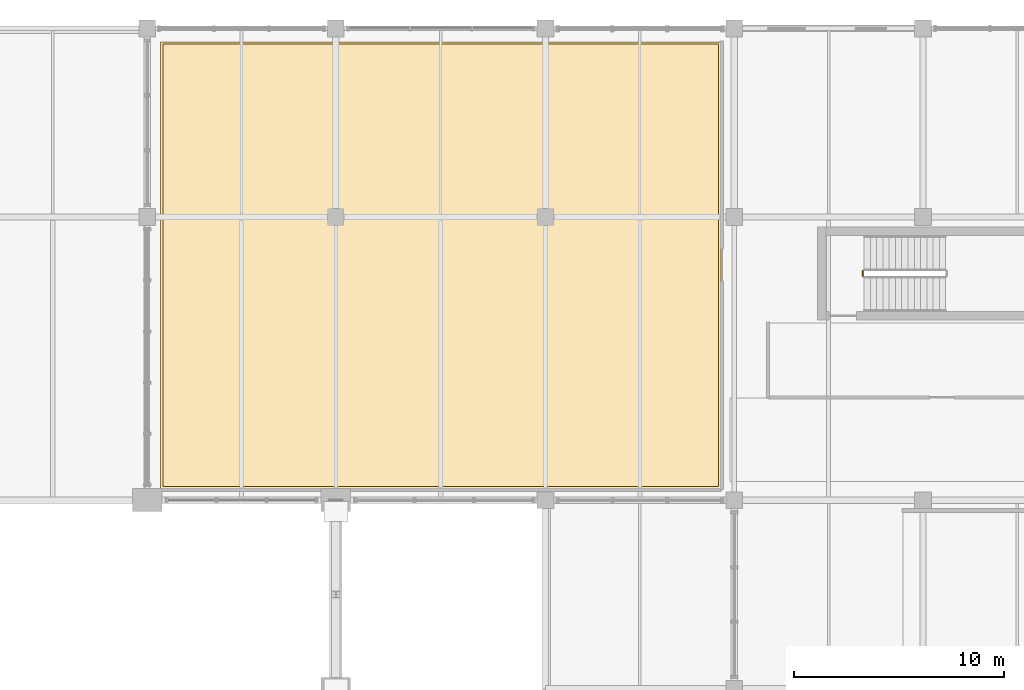
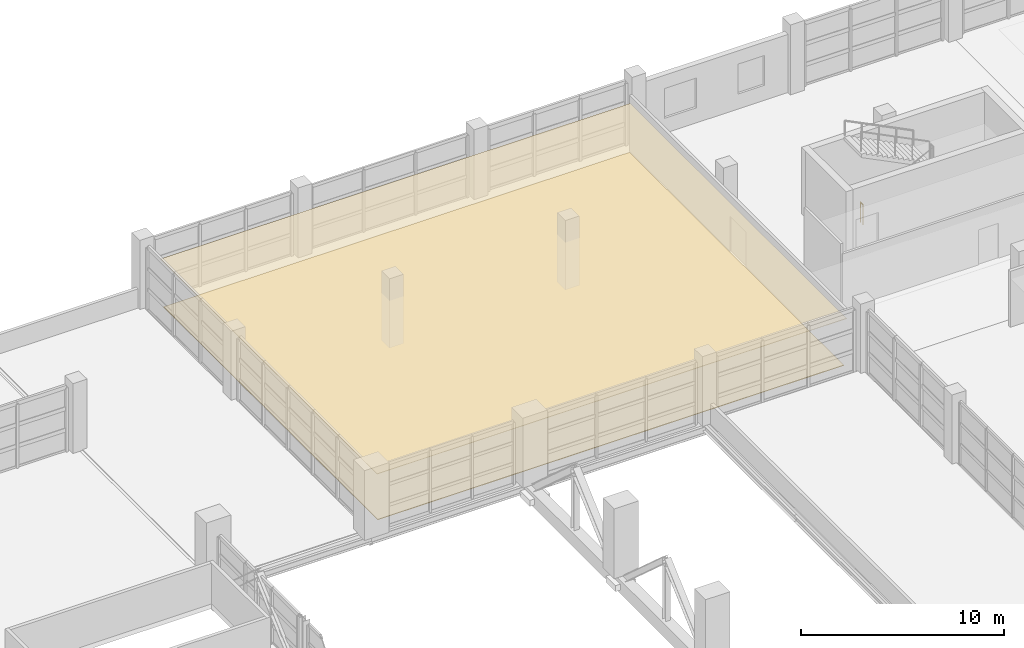
# One storey, part 134 of 136: 2 coverings, 1 railing.
"""IFC4 building model written with IfcOpenShell, lengths in metres."""

from ifc_helpers import new_model, si_unit, direction, frame, origin, origin_2d, place, context, subcontext, project, spatial, polyline, circle, outline, extrude, material, layer, layer_set, type_object, element, save


model = new_model("IFC4")

# Units and contexts
model_context = context("Model", 3, precision=1e-05, world=origin(), true_north=direction((0.0, 1.0)))
body_context = subcontext(model_context, "Body", "Model", "MODEL_VIEW")
ifc_project = project(units=[si_unit("LENGTHUNIT", "METRE"), si_unit("AREAUNIT", "SQUARE_METRE"), si_unit("VOLUMEUNIT", "CUBIC_METRE"), si_unit("PLANEANGLEUNIT", "RADIAN"), si_unit("MASSUNIT", "GRAM", prefix="KILO")], contexts=[model_context])

# Site, building, storey
site_placement = place(None, origin())
site = spatial("IfcSite", under=ifc_project, at=site_placement, CompositionType="ELEMENT")
building_placement = place(site_placement, origin())
building = spatial("IfcBuilding", under=site, at=building_placement, Name="Chuanluo Vaults Station", CompositionType="ELEMENT")
storey_placement = place(building_placement, frame((0.0, 0.0, 6.60009765625)))
storey = spatial("IfcBuildingStorey", under=building, at=storey_placement, Name="L01", CompositionType="ELEMENT", Elevation=6.60009765625)

# Coverings
ifc_material_1 = material(Name="Acoustic mineral-fibre tile")
ifc_layer_1 = layer(ifc_material_1, 0.02490234375)
ifc_layer_set_1 = layer_set([ifc_layer_1], Name="Acoustic mineral-fibre tile")
covering_type_1 = type_object("IfcCoveringType", Name="COV-CEIL-TILE", PredefinedType="CEILING", material=ifc_layer_set_1)
covering_1_placement = place(storey_placement, frame((0.0, 0.0, 2.849853515625)))
element("IfcCovering", 1, at=covering_1_placement, inside=storey, type_object=covering_type_1, Name="L01-05 suspended acoustic ceiling", PredefinedType="CEILING", context=body_context, shape_type="SweptSolid", body=[
    extrude(outline(polyline([(117.639892578125, 104.0400390625), (144.360107421875, 104.0400390625), (144.360107421875, 125.360107421875), (117.639892578125, 125.360107421875), (117.639892578125, 104.0400390625)])), origin(), (0.0, 0.0, 1.0), 0.025146484375),
])
ifc_material_2 = material(Name="Granite stone flooring", Category="masonry")
ifc_layer_2 = layer(ifc_material_2, 0.034912109375)
ifc_layer_set_2 = layer_set([ifc_layer_2], Name="Granite stone flooring")
covering_type_2 = type_object("IfcCoveringType", Name="COV-FLOR-GRAN", PredefinedType="FLOORING", material=ifc_layer_set_2)
covering_2_placement = place(storey_placement, origin())
element("IfcCovering", 2, at=covering_2_placement, inside=storey, type_object=covering_type_2, Name="L01-05 granite floor finish", PredefinedType="FLOORING", context=body_context, shape_type="SweptSolid", body=[
    extrude(outline(polyline([(117.75, 104.14990234375), (144.25, 104.14990234375), (144.25, 125.25), (117.75, 125.25), (117.75, 104.14990234375)])), origin(), (0.0, 0.0, 1.0), 0.034912109375),
])

# Railing
ifc_material_3 = material(Name="Tempered laminated balustrade glass", Category="glass")
railing_type = type_object("IfcRailingType", Name="RLG-GUARD-1200", PredefinedType="BALUSTRADE", material=ifc_material_3)
railing_placement = place(storey_placement, frame((151.137451171875, 114.18505859375, 0.0)))
element("IfcRailing", 3, at=railing_placement, inside=storey, type_object=railing_type, Name="L01 ST-03 stair guard 4", PredefinedType="BALUSTRADE", context=body_context, shape_type="SweptSolid", body=[
    extrude(circle(Radius=0.02392578125, at=origin_2d()), frame((0.0, 0.0, 1.17578125), z_axis=(0.0, 1.0, 0.0), x_axis=(-1.0, 0.0, 0.0)), (0.0, 0.0, 1.0), 0.25),
    extrude(circle(Radius=0.02099609375, at=origin_2d()), origin(), (0.0, 0.0, 1.0), 1.15185546875),
    extrude(circle(Radius=0.02099609375, at=origin_2d()), frame((0.0, 0.25, 0.0)), (0.0, 0.0, 1.0), 1.15185546875),
])

save(model, "model.ifc")
